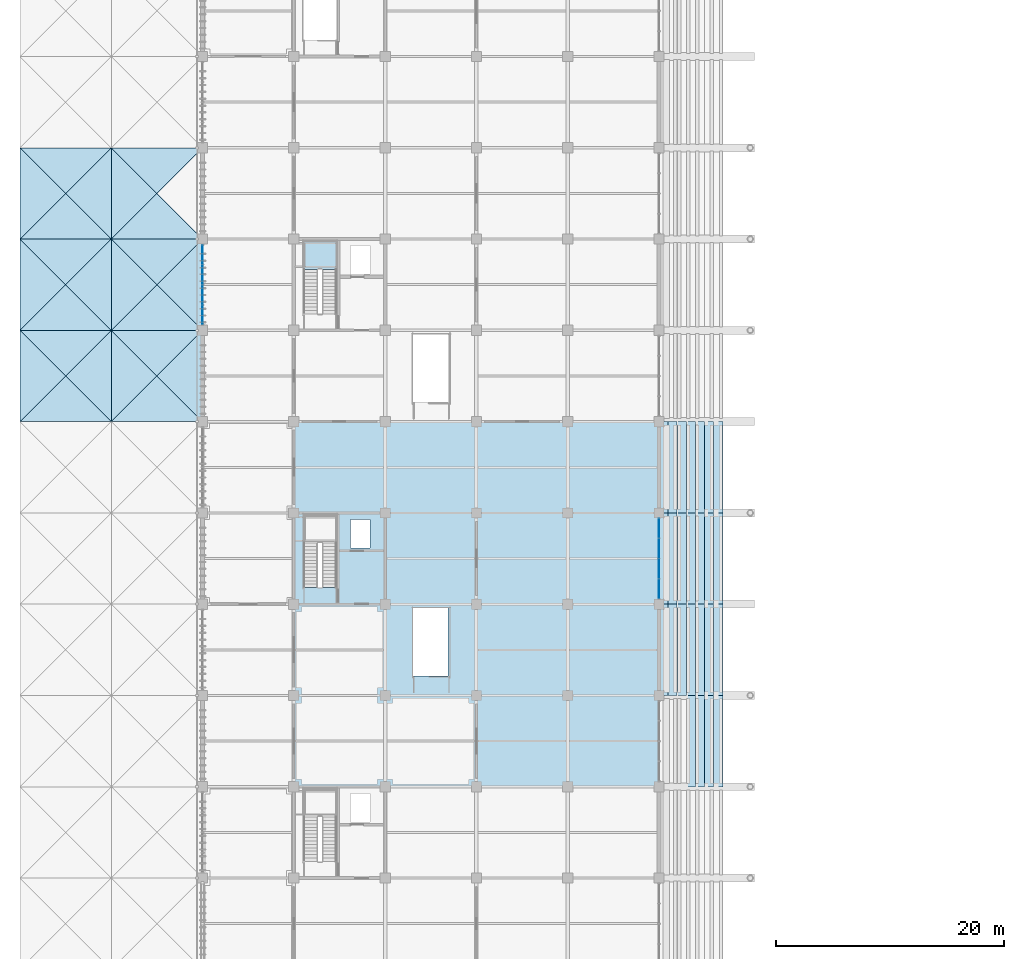
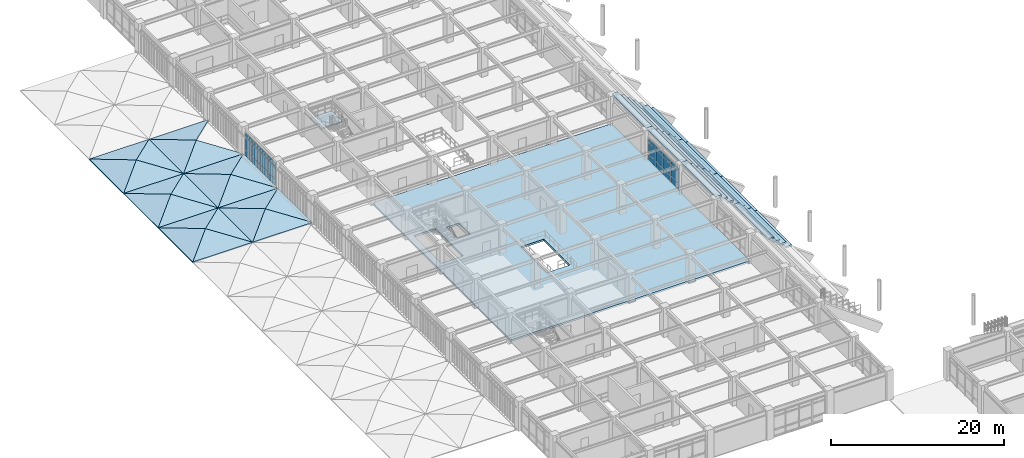
# One storey, part 69 of 118: 50 slabs, 24 plates, 3 elements without a shape of their own.
"""IFC4 building model written with IfcOpenShell, lengths in metres."""

from ifc_helpers import new_model, si_unit, direction, frame, origin, origin_2d, place, context, subcontext, project, spatial, polyline, rectangle, outline, extrude, material, layer, layer_set, type_object, element, aggregate, save


model = new_model("IFC4")

# Units and contexts
model_context = context("Model", 3, precision=1e-05, world=origin(), true_north=direction((0.0, 1.0)))
body_context = subcontext(model_context, "Body", "Model", "MODEL_VIEW")
ifc_project = project(units=[si_unit("LENGTHUNIT", "METRE"), si_unit("AREAUNIT", "SQUARE_METRE"), si_unit("VOLUMEUNIT", "CUBIC_METRE"), si_unit("PLANEANGLEUNIT", "RADIAN"), si_unit("MASSUNIT", "GRAM", prefix="KILO")], contexts=[model_context])

# Site, building, storey
site_placement = place(None, origin())
site = spatial("IfcSite", under=ifc_project, at=site_placement, CompositionType="ELEMENT")
building_placement = place(site_placement, origin())
building = spatial("IfcBuilding", under=site, at=building_placement, Name="Haebicheon Civic Stadium", CompositionType="ELEMENT")
storey_placement = place(building_placement, frame((0.0, 0.0, 14.39990234375)))
storey = spatial("IfcBuildingStorey", under=building, at=storey_placement, Name="L04", CompositionType="ELEMENT", Elevation=14.39990234375)

# Curtain wall, plates
ifc_material_1 = material(Name="Anodised aluminium and laminated glass", Category="aluminium")
ifc_layer_1 = layer(ifc_material_1, 0.179931640625, Name="Anodised aluminium and laminated glass")
ifc_layer_set_1 = layer_set([ifc_layer_1], Name="Anodised aluminium and laminated glass")
curtain_wall_type_1 = type_object("IfcCurtainWallType", Name="CW-7100x3330", PredefinedType="NOTDEFINED", material=ifc_layer_set_1)
curtain_wall_1_placement = place(storey_placement, origin())
curtain_wall_1 = element("IfcCurtainWall", 1, at=curtain_wall_1_placement, inside=storey, type_object=curtain_wall_type_1, material=ifc_layer_set_1, Name="L04 unitised curtain wall 109", PredefinedType="NOTDEFINED")
ifc_material_2 = material(Name="Double low-e acoustic laminated glass", Category="glass")
ifc_layer_2 = layer(ifc_material_2, 0.035888671875, Name="Double low-e acoustic laminated glass")
ifc_layer_set_2 = layer_set([ifc_layer_2], Name="Double low-e acoustic laminated glass")
plate_type_1 = type_object("IfcPlateType", Name="CWP-GLZ-36", PredefinedType="CURTAIN_PANEL", material=ifc_layer_set_2)
plate_1_placement = place(storey_placement, frame((24.0, 105.35498046875, 0.93505859375), z_axis=(0.0, 0.0, 1.0), x_axis=(0.0, 1.0, 0.0)))
plate_1 = element("IfcPlate", 2, at=plate_1_placement, type_object=plate_type_1, material=ifc_layer_set_2, Name="CW-L04-109 vision panel 1.2", PredefinedType="CURTAIN_PANEL", context=body_context, shape_type="SweptSolid", body=[
    extrude(rectangle(XDim=1.669921875, YDim=0.035888671875, at=origin_2d()), origin(), (0.0, 0.0, 1.0), 1.81005859375),
])
plate_2_placement = place(storey_placement, frame((24.0, 107.112060546875, 0.93505859375), z_axis=(0.0, 0.0, 1.0), x_axis=(0.0, 1.0, 0.0)))
plate_2 = element("IfcPlate", 3, at=plate_2_placement, type_object=plate_type_1, material=ifc_layer_set_2, Name="CW-L04-109 vision panel 2.2", PredefinedType="CURTAIN_PANEL", context=body_context, shape_type="SweptSolid", body=[
    extrude(rectangle(XDim=1.705078125, YDim=0.035888671875, at=origin_2d()), origin(), (0.0, 0.0, 1.0), 1.81005859375),
])
plate_3_placement = place(storey_placement, frame((24.0, 108.887939453125, 0.93505859375), z_axis=(0.0, 0.0, 1.0), x_axis=(0.0, 1.0, 0.0)))
plate_3 = element("IfcPlate", 4, at=plate_3_placement, type_object=plate_type_1, material=ifc_layer_set_2, Name="CW-L04-109 vision panel 3.2", PredefinedType="CURTAIN_PANEL", context=body_context, shape_type="SweptSolid", body=[
    extrude(rectangle(XDim=1.705078125, YDim=0.035888671875, at=origin_2d()), origin(), (0.0, 0.0, 1.0), 1.81005859375),
])
plate_4_placement = place(storey_placement, frame((24.0, 110.64501953125, 0.93505859375), z_axis=(0.0, 0.0, 1.0), x_axis=(0.0, 1.0, 0.0)))
plate_4 = element("IfcPlate", 5, at=plate_4_placement, type_object=plate_type_1, material=ifc_layer_set_2, Name="CW-L04-109 vision panel 4.2", PredefinedType="CURTAIN_PANEL", context=body_context, shape_type="SweptSolid", body=[
    extrude(rectangle(XDim=1.669921875, YDim=0.035888671875, at=origin_2d()), origin(), (0.0, 0.0, 1.0), 1.81005859375),
])

ifc_material_3 = material(Name="Anodised aluminium and laminated glass", Category="aluminium")
ifc_layer_3 = layer(ifc_material_3, 0.179931640625, Name="Anodised aluminium and laminated glass")
ifc_layer_set_3 = layer_set([ifc_layer_3], Name="Anodised aluminium and laminated glass")
curtain_wall_type_2 = type_object("IfcCurtainWallType", Name="CW-7100x3100", PredefinedType="NOTDEFINED", material=ifc_layer_set_3)
curtain_wall_2_placement = place(storey_placement, origin())
curtain_wall_2 = element("IfcCurtainWall", 6, at=curtain_wall_2_placement, inside=storey, type_object=curtain_wall_type_2, material=ifc_layer_set_3, Name="L04 unitised curtain wall 119", PredefinedType="NOTDEFINED")
plate_5_placement = place(storey_placement, frame((64.0, 81.35498046875, 0.93505859375), z_axis=(0.0, 0.0, 1.0), x_axis=(0.0, 1.0, 0.0)))
plate_5 = element("IfcPlate", 7, at=plate_5_placement, type_object=plate_type_1, material=ifc_layer_set_2, Name="CW-L04-119 vision panel 1.2", PredefinedType="CURTAIN_PANEL", context=body_context, shape_type="SweptSolid", body=[
    extrude(rectangle(XDim=1.669921875, YDim=0.035888671875, at=origin_2d()), origin(), (0.0, 0.0, 1.0), 1.580078125),
])
plate_6_placement = place(storey_placement, frame((64.0, 83.112060546875, 0.93505859375), z_axis=(0.0, 0.0, 1.0), x_axis=(0.0, 1.0, 0.0)))
plate_6 = element("IfcPlate", 8, at=plate_6_placement, type_object=plate_type_1, material=ifc_layer_set_2, Name="CW-L04-119 vision panel 2.2", PredefinedType="CURTAIN_PANEL", context=body_context, shape_type="SweptSolid", body=[
    extrude(rectangle(XDim=1.705078125, YDim=0.035888671875, at=origin_2d()), origin(), (0.0, 0.0, 1.0), 1.580078125),
])
plate_7_placement = place(storey_placement, frame((64.0, 84.887939453125, 0.93505859375), z_axis=(0.0, 0.0, 1.0), x_axis=(0.0, 1.0, 0.0)))
plate_7 = element("IfcPlate", 9, at=plate_7_placement, type_object=plate_type_1, material=ifc_layer_set_2, Name="CW-L04-119 vision panel 3.2", PredefinedType="CURTAIN_PANEL", context=body_context, shape_type="SweptSolid", body=[
    extrude(rectangle(XDim=1.705078125, YDim=0.035888671875, at=origin_2d()), origin(), (0.0, 0.0, 1.0), 1.580078125),
])
plate_8_placement = place(storey_placement, frame((64.0, 86.64501953125, 0.93505859375), z_axis=(0.0, 0.0, 1.0), x_axis=(0.0, 1.0, 0.0)))
plate_8 = element("IfcPlate", 10, at=plate_8_placement, type_object=plate_type_1, material=ifc_layer_set_2, Name="CW-L04-119 vision panel 4.2", PredefinedType="CURTAIN_PANEL", context=body_context, shape_type="SweptSolid", body=[
    extrude(rectangle(XDim=1.669921875, YDim=0.035888671875, at=origin_2d()), origin(), (0.0, 0.0, 1.0), 1.580078125),
])

# Plate
ifc_material_4 = material(Name="Anodised aluminium 6063-T6", Category="aluminium")
ifc_layer_4 = layer(ifc_material_4, 0.053955078125, Name="Anodised aluminium 6063-T6")
ifc_layer_set_4 = layer_set([ifc_layer_4], Name="Anodised aluminium 6063-T6")
plate_type_2 = type_object("IfcPlateType", Name="CWP-SPD-54", PredefinedType="CURTAIN_PANEL", material=ifc_layer_set_4)
plate_9_placement = place(storey_placement, frame((24.0, 105.35498046875, 0.03515625), z_axis=(0.0, 0.0, 1.0), x_axis=(0.0, 1.0, 0.0)))
plate_9 = element("IfcPlate", 11, at=plate_9_placement, type_object=plate_type_2, material=ifc_layer_set_4, Name="CW-L04-109 spandrel panel 1.1", PredefinedType="CURTAIN_PANEL", context=body_context, shape_type="SweptSolid", body=[
    extrude(rectangle(XDim=1.669921875, YDim=0.053955078125, at=origin_2d()), origin(), (0.0, 0.0, 1.0), 0.830078125),
])

plate_10_placement = place(storey_placement, frame((24.0, 105.35498046875, 2.815185546875), z_axis=(0.0, 0.0, 1.0), x_axis=(0.0, 1.0, 0.0)))
plate_10 = element("IfcPlate", 12, at=plate_10_placement, type_object=plate_type_2, material=ifc_layer_set_4, Name="CW-L04-109 spandrel panel 1.3", PredefinedType="CURTAIN_PANEL", context=body_context, shape_type="SweptSolid", body=[
    extrude(rectangle(XDim=1.669921875, YDim=0.053955078125, at=origin_2d()), origin(), (0.0, 0.0, 1.0), 0.47998046875),
])

plate_11_placement = place(storey_placement, frame((24.0, 107.112060546875, 0.03515625), z_axis=(0.0, 0.0, 1.0), x_axis=(0.0, 1.0, 0.0)))
plate_11 = element("IfcPlate", 13, at=plate_11_placement, type_object=plate_type_2, material=ifc_layer_set_4, Name="CW-L04-109 spandrel panel 2.1", PredefinedType="CURTAIN_PANEL", context=body_context, shape_type="SweptSolid", body=[
    extrude(rectangle(XDim=1.705078125, YDim=0.053955078125, at=origin_2d()), origin(), (0.0, 0.0, 1.0), 0.830078125),
])

plate_12_placement = place(storey_placement, frame((24.0, 107.112060546875, 2.815185546875), z_axis=(0.0, 0.0, 1.0), x_axis=(0.0, 1.0, 0.0)))
plate_12 = element("IfcPlate", 14, at=plate_12_placement, type_object=plate_type_2, material=ifc_layer_set_4, Name="CW-L04-109 spandrel panel 2.3", PredefinedType="CURTAIN_PANEL", context=body_context, shape_type="SweptSolid", body=[
    extrude(rectangle(XDim=1.705078125, YDim=0.053955078125, at=origin_2d()), origin(), (0.0, 0.0, 1.0), 0.47998046875),
])

plate_13_placement = place(storey_placement, frame((24.0, 108.887939453125, 0.03515625), z_axis=(0.0, 0.0, 1.0), x_axis=(0.0, 1.0, 0.0)))
plate_13 = element("IfcPlate", 15, at=plate_13_placement, type_object=plate_type_2, material=ifc_layer_set_4, Name="CW-L04-109 spandrel panel 3.1", PredefinedType="CURTAIN_PANEL", context=body_context, shape_type="SweptSolid", body=[
    extrude(rectangle(XDim=1.705078125, YDim=0.053955078125, at=origin_2d()), origin(), (0.0, 0.0, 1.0), 0.830078125),
])

plate_14_placement = place(storey_placement, frame((24.0, 108.887939453125, 2.815185546875), z_axis=(0.0, 0.0, 1.0), x_axis=(0.0, 1.0, 0.0)))
plate_14 = element("IfcPlate", 16, at=plate_14_placement, type_object=plate_type_2, material=ifc_layer_set_4, Name="CW-L04-109 spandrel panel 3.3", PredefinedType="CURTAIN_PANEL", context=body_context, shape_type="SweptSolid", body=[
    extrude(rectangle(XDim=1.705078125, YDim=0.053955078125, at=origin_2d()), origin(), (0.0, 0.0, 1.0), 0.47998046875),
])

plate_15_placement = place(storey_placement, frame((24.0, 110.64501953125, 0.03515625), z_axis=(0.0, 0.0, 1.0), x_axis=(0.0, 1.0, 0.0)))
plate_15 = element("IfcPlate", 17, at=plate_15_placement, type_object=plate_type_2, material=ifc_layer_set_4, Name="CW-L04-109 spandrel panel 4.1", PredefinedType="CURTAIN_PANEL", context=body_context, shape_type="SweptSolid", body=[
    extrude(rectangle(XDim=1.669921875, YDim=0.053955078125, at=origin_2d()), origin(), (0.0, 0.0, 1.0), 0.830078125),
])

plate_16_placement = place(storey_placement, frame((24.0, 110.64501953125, 2.815185546875), z_axis=(0.0, 0.0, 1.0), x_axis=(0.0, 1.0, 0.0)))
plate_16 = element("IfcPlate", 18, at=plate_16_placement, type_object=plate_type_2, material=ifc_layer_set_4, Name="CW-L04-109 spandrel panel 4.3", PredefinedType="CURTAIN_PANEL", context=body_context, shape_type="SweptSolid", body=[
    extrude(rectangle(XDim=1.669921875, YDim=0.053955078125, at=origin_2d()), origin(), (0.0, 0.0, 1.0), 0.47998046875),
])

aggregate(curtain_wall_1, [plate_9, plate_1, plate_10, plate_11, plate_2, plate_12, plate_13, plate_3, plate_14, plate_15, plate_4, plate_16])

plate_17_placement = place(storey_placement, frame((64.0, 81.35498046875, 0.03515625), z_axis=(0.0, 0.0, 1.0), x_axis=(0.0, 1.0, 0.0)))
plate_17 = element("IfcPlate", 19, at=plate_17_placement, type_object=plate_type_2, material=ifc_layer_set_4, Name="CW-L04-119 spandrel panel 1.1", PredefinedType="CURTAIN_PANEL", context=body_context, shape_type="SweptSolid", body=[
    extrude(rectangle(XDim=1.669921875, YDim=0.053955078125, at=origin_2d()), origin(), (0.0, 0.0, 1.0), 0.830078125),
])

plate_18_placement = place(storey_placement, frame((64.0, 81.35498046875, 2.585205078125), z_axis=(0.0, 0.0, 1.0), x_axis=(0.0, 1.0, 0.0)))
plate_18 = element("IfcPlate", 20, at=plate_18_placement, type_object=plate_type_2, material=ifc_layer_set_4, Name="CW-L04-119 spandrel panel 1.3", PredefinedType="CURTAIN_PANEL", context=body_context, shape_type="SweptSolid", body=[
    extrude(rectangle(XDim=1.669921875, YDim=0.053955078125, at=origin_2d()), origin(), (0.0, 0.0, 1.0), 0.47998046875),
])

plate_19_placement = place(storey_placement, frame((64.0, 83.112060546875, 0.03515625), z_axis=(0.0, 0.0, 1.0), x_axis=(0.0, 1.0, 0.0)))
plate_19 = element("IfcPlate", 21, at=plate_19_placement, type_object=plate_type_2, material=ifc_layer_set_4, Name="CW-L04-119 spandrel panel 2.1", PredefinedType="CURTAIN_PANEL", context=body_context, shape_type="SweptSolid", body=[
    extrude(rectangle(XDim=1.705078125, YDim=0.053955078125, at=origin_2d()), origin(), (0.0, 0.0, 1.0), 0.830078125),
])

plate_20_placement = place(storey_placement, frame((64.0, 83.112060546875, 2.585205078125), z_axis=(0.0, 0.0, 1.0), x_axis=(0.0, 1.0, 0.0)))
plate_20 = element("IfcPlate", 22, at=plate_20_placement, type_object=plate_type_2, material=ifc_layer_set_4, Name="CW-L04-119 spandrel panel 2.3", PredefinedType="CURTAIN_PANEL", context=body_context, shape_type="SweptSolid", body=[
    extrude(rectangle(XDim=1.705078125, YDim=0.053955078125, at=origin_2d()), origin(), (0.0, 0.0, 1.0), 0.47998046875),
])

plate_21_placement = place(storey_placement, frame((64.0, 84.887939453125, 0.03515625), z_axis=(0.0, 0.0, 1.0), x_axis=(0.0, 1.0, 0.0)))
plate_21 = element("IfcPlate", 23, at=plate_21_placement, type_object=plate_type_2, material=ifc_layer_set_4, Name="CW-L04-119 spandrel panel 3.1", PredefinedType="CURTAIN_PANEL", context=body_context, shape_type="SweptSolid", body=[
    extrude(rectangle(XDim=1.705078125, YDim=0.053955078125, at=origin_2d()), origin(), (0.0, 0.0, 1.0), 0.830078125),
])

plate_22_placement = place(storey_placement, frame((64.0, 84.887939453125, 2.585205078125), z_axis=(0.0, 0.0, 1.0), x_axis=(0.0, 1.0, 0.0)))
plate_22 = element("IfcPlate", 24, at=plate_22_placement, type_object=plate_type_2, material=ifc_layer_set_4, Name="CW-L04-119 spandrel panel 3.3", PredefinedType="CURTAIN_PANEL", context=body_context, shape_type="SweptSolid", body=[
    extrude(rectangle(XDim=1.705078125, YDim=0.053955078125, at=origin_2d()), origin(), (0.0, 0.0, 1.0), 0.47998046875),
])

plate_23_placement = place(storey_placement, frame((64.0, 86.64501953125, 0.03515625), z_axis=(0.0, 0.0, 1.0), x_axis=(0.0, 1.0, 0.0)))
plate_23 = element("IfcPlate", 25, at=plate_23_placement, type_object=plate_type_2, material=ifc_layer_set_4, Name="CW-L04-119 spandrel panel 4.1", PredefinedType="CURTAIN_PANEL", context=body_context, shape_type="SweptSolid", body=[
    extrude(rectangle(XDim=1.669921875, YDim=0.053955078125, at=origin_2d()), origin(), (0.0, 0.0, 1.0), 0.830078125),
])

plate_24_placement = place(storey_placement, frame((64.0, 86.64501953125, 2.585205078125), z_axis=(0.0, 0.0, 1.0), x_axis=(0.0, 1.0, 0.0)))
plate_24 = element("IfcPlate", 26, at=plate_24_placement, type_object=plate_type_2, material=ifc_layer_set_4, Name="CW-L04-119 spandrel panel 4.3", PredefinedType="CURTAIN_PANEL", context=body_context, shape_type="SweptSolid", body=[
    extrude(rectangle(XDim=1.669921875, YDim=0.053955078125, at=origin_2d()), origin(), (0.0, 0.0, 1.0), 0.47998046875),
])

aggregate(curtain_wall_2, [plate_17, plate_5, plate_18, plate_19, plate_6, plate_20, plate_21, plate_7, plate_22, plate_23, plate_8, plate_24])

# Slab
ifc_material_5 = material(Name="Concrete C40/50", Category="concrete")
ifc_layer_5 = layer(ifc_material_5, 0.260009765625, Name="Concrete C40/50")
ifc_layer_set_5 = layer_set([ifc_layer_5], Name="Concrete C40/50")
slab_type_1 = type_object("IfcSlabType", Name="SLB-FLR-260", PredefinedType="FLOOR", material=ifc_layer_set_5)
slab_1_placement = place(storey_placement, frame((0.0, 0.0, -0.260009765625)))
element("IfcSlab", 27, at=slab_1_placement, inside=storey, type_object=slab_type_1, material=ifc_layer_set_5, Name="L04 V1 structural slab 6.1", PredefinedType="FLOOR", context=body_context, shape_type="SweptSolid", body=[
    extrude(outline(polyline([(32.0, 88.0), (32.0, 96.0), (40.0, 96.0), (48.0, 96.0), (56.0, 96.0), (64.0, 96.0), (64.0, 88.0), (64.0, 80.0), (64.0, 72.0), (64.0, 64.0), (56.0, 64.0), (48.0, 64.0), (40.0, 64.0), (32.0, 64.0), (32.0, 72.0), (32.0, 80.0), (32.0, 88.0)]), holes=[polyline([(32.840087890625, 81.4599609375), (35.739990234375, 81.4599609375), (35.739990234375, 87.840087890625), (32.840087890625, 87.840087890625), (32.840087890625, 81.4599609375)]), polyline([(36.969970703125, 84.929931640625), (38.669921875, 84.929931640625), (38.669921875, 87.429931640625), (36.969970703125, 87.429931640625), (36.969970703125, 84.929931640625)]), polyline([(42.4599609375, 73.699951171875), (45.5, 73.699951171875), (45.5, 79.699951171875), (42.4599609375, 79.699951171875), (42.4599609375, 73.699951171875)])]), origin(), (0.0, 0.0, 1.0), 0.260009765625),
])

# Stair, slab
ifc_material_6 = material(Name="Concrete C40/50", Category="concrete")
stair_type = type_object("IfcStairType", Name="STR-DL-W128-H42", PredefinedType="HALF_TURN_STAIR", material=ifc_material_6)
stair_placement = place(storey_placement, origin())
stair = element("IfcStair", 28, at=stair_placement, inside=storey, type_object=stair_type, material=ifc_material_6, Name="L04 Escape stair ST-04", PredefinedType="HALF_TURN_STAIR")
ifc_material_7 = material(Name="Concrete C40/50", Category="concrete")
ifc_layer_6 = layer(ifc_material_7, 0.199951171875, Name="Concrete C40/50")
ifc_layer_set_6 = layer_set([ifc_layer_6], Name="Concrete C40/50")
slab_type_2 = type_object("IfcSlabType", Name="SLB-LND-200", PredefinedType="LANDING", material=ifc_layer_set_6)
slab_2_placement = place(storey_placement, frame((0.0, 0.0, 1.900146484375)))
slab_2 = element("IfcSlab", 29, at=slab_2_placement, type_object=slab_type_2, material=ifc_layer_set_6, Name="ST-04 landing 1", PredefinedType="LANDING", context=body_context, shape_type="SweptSolid", body=[
    extrude(outline(polyline([(35.739990234375, 109.35009765625), (35.739990234375, 111.840087890625), (32.840087890625, 111.840087890625), (32.840087890625, 109.35009765625), (35.739990234375, 109.35009765625)])), origin(), (0.0, 0.0, 1.0), 0.199951171875),
])
aggregate(stair, [slab_2])

# Slabs
ifc_material_8 = material(Name="Precast concrete C40/50", Category="concrete")
ifc_layer_7 = layer(ifc_material_8, 0.169921875, Name="Precast concrete C40/50")
ifc_layer_set_7 = layer_set([ifc_layer_7], Name="Precast concrete C40/50")
slab_type_3 = type_object("IfcSlabType", Name="SLB-ROOF-170", PredefinedType="ROOF", material=ifc_layer_set_7)
for number, where, z_axis, x_axis, name in (
    (30, (8.0, 96.0, 0.02001953125), (0.0, -0.219546201048, 0.975602104142), (1.0, 0.0, 0.0), "L04 V5 folded shell roof facet 7.S"),
    (31, (16.0, 96.0, 0.02001953125), (0.219546201048, 0.0, 0.975602104142), (0.0, 1.0, 0.0), "L04 V5 folded shell roof facet 7.E"),
    (32, (16.0, 104.0, 0.02001953125), (0.0, 0.219546201048, 0.975602104142), (-1.0, 0.0, 0.0), "L04 V5 folded shell roof facet 7.N"),
    (33, (8.0, 104.0, 0.02001953125), (-0.219546201048, 0.0, 0.975602104142), (0.0, -1.0, 0.0), "L04 V5 folded shell roof facet 7.W"),
    (34, (8.0, 104.0, 0.02001953125), (0.0, -0.219546201048, 0.975602104142), (1.0, 0.0, 0.0), "L04 V5 folded shell roof facet 8.S"),
    (35, (16.0, 104.0, 0.02001953125), (0.219546201048, 0.0, 0.975602104142), (0.0, 1.0, 0.0), "L04 V5 folded shell roof facet 8.E"),
    (36, (16.0, 112.0, 0.02001953125), (0.0, 0.219546201048, 0.975602104142), (-1.0, 0.0, 0.0), "L04 V5 folded shell roof facet 8.N"),
    (37, (8.0, 112.0, 0.02001953125), (-0.219546201048, 0.0, 0.975602104142), (0.0, -1.0, 0.0), "L04 V5 folded shell roof facet 8.W"),
    (38, (8.0, 112.0, 0.02001953125), (0.0, -0.219546201048, 0.975602104142), (1.0, 0.0, 0.0), "L04 V5 folded shell roof facet 9.S"),
    (39, (16.0, 112.0, 0.02001953125), (0.219546201048, 0.0, 0.975602104142), (0.0, 1.0, 0.0), "L04 V5 folded shell roof facet 9.E"),
    (40, (16.0, 120.0, 0.02001953125), (0.0, 0.219546201048, 0.975602104142), (-1.0, 0.0, 0.0), "L04 V5 folded shell roof facet 9.N"),
    (41, (8.0, 120.0, 0.02001953125), (-0.219546201048, 0.0, 0.975602104142), (0.0, -1.0, 0.0), "L04 V5 folded shell roof facet 9.W"),
    (42, (16.0, 96.0, 0.02001953125), (0.0, -0.219546201048, 0.975602104142), (1.0, 0.0, 0.0), "L04 V5 folded shell roof facet 18.S"),
    (43, (24.0, 96.0, 0.02001953125), (0.219546201048, 0.0, 0.975602104142), (0.0, 1.0, 0.0), "L04 V5 folded shell roof facet 18.E"),
    (44, (24.0, 104.0, 0.02001953125), (0.0, 0.219546201048, 0.975602104142), (-1.0, 0.0, 0.0), "L04 V5 folded shell roof facet 18.N"),
    (45, (16.0, 104.0, 0.02001953125), (-0.219546201048, 0.0, 0.975602104142), (0.0, -1.0, 0.0), "L04 V5 folded shell roof facet 18.W"),
    (46, (16.0, 104.0, 0.02001953125), (0.0, -0.219546201048, 0.975602104142), (1.0, 0.0, 0.0), "L04 V5 folded shell roof facet 19.S"),
    (47, (24.0, 104.0, 0.02001953125), (0.219546201048, 0.0, 0.975602104142), (0.0, 1.0, 0.0), "L04 V5 folded shell roof facet 19.E"),
    (48, (24.0, 112.0, 0.02001953125), (0.0, 0.219546201048, 0.975602104142), (-1.0, 0.0, 0.0), "L04 V5 folded shell roof facet 19.N"),
    (49, (16.0, 112.0, 0.02001953125), (-0.219546201048, 0.0, 0.975602104142), (0.0, -1.0, 0.0), "L04 V5 folded shell roof facet 19.W"),
    (50, (16.0, 112.0, 0.02001953125), (0.0, -0.219546201048, 0.975602104142), (1.0, 0.0, 0.0), "L04 V5 folded shell roof facet 20.S"),
    (51, (24.0, 120.0, 0.02001953125), (0.0, 0.219546201048, 0.975602104142), (-1.0, 0.0, 0.0), "L04 V5 folded shell roof facet 20.N"),
    (52, (16.0, 120.0, 0.02001953125), (-0.219546201048, 0.0, 0.975602104142), (0.0, -1.0, 0.0), "L04 V5 folded shell roof facet 20.W"),
):
    element("IfcSlab", number, at=place(storey_placement, frame(where, z_axis=z_axis, x_axis=x_axis)), inside=storey, type_object=slab_type_3, material=ifc_layer_set_7, Name=name, PredefinedType="ROOF", context=body_context, shape_type="SweptSolid", body=[
        extrude(outline(polyline([(0.0, 0.0), (8.0, 0.0), (4.0, 4.1000321575973855), (0.0, 0.0)])), origin(), (0.0, 0.0, -1.0), 0.169921875),
    ])
ifc_material_9 = material(Name="Precast concrete C40/50", Category="concrete")
ifc_layer_8 = layer(ifc_material_9, 0.239990234375, Name="Precast concrete C40/50")
ifc_layer_set_8 = layer_set([ifc_layer_8], Name="Precast concrete C40/50")
slab_type_4 = type_object("IfcSlabType", Name="SLB-TIER-240", PredefinedType="USERDEFINED", material=ifc_layer_set_8)
slab_3_placement = place(storey_placement, frame((0.0, 0.0, 0.093017578125)))
element("IfcSlab", 53, at=slab_3_placement, inside=storey, type_object=slab_type_4, material=ifc_layer_set_8, Name="TIER-W-U precast seating tier bay 3 row-band 4", ObjectType="SEATING TIER", PredefinedType="USERDEFINED", context=body_context, shape_type="SweptSolid", body=[
    extrude(outline(polyline([(68.800048828125, 64.0), (69.60009765625, 64.0), (69.60009765625, 72.0), (68.800048828125, 72.0), (68.800048828125, 64.0)])), origin(), (0.0, 0.0, 1.0), 0.239990234375),
])
slab_4_placement = place(storey_placement, frame((0.0, 0.0, 0.738037109375)))
element("IfcSlab", 54, at=slab_4_placement, inside=storey, type_object=slab_type_4, material=ifc_layer_set_8, Name="TIER-W-U precast seating tier bay 3 row-band 5", ObjectType="SEATING TIER", PredefinedType="USERDEFINED", context=body_context, shape_type="SweptSolid", body=[
    extrude(outline(polyline([(68.0, 64.0), (68.800048828125, 64.0), (68.800048828125, 72.0), (68.0, 72.0), (68.0, 64.0)])), origin(), (0.0, 0.0, 1.0), 0.239990234375),
])
slab_5_placement = place(storey_placement, frame((0.0, 0.0, 1.382080078125)))
element("IfcSlab", 55, at=slab_5_placement, inside=storey, type_object=slab_type_4, material=ifc_layer_set_8, Name="TIER-W-U precast seating tier bay 3 row-band 6", ObjectType="SEATING TIER", PredefinedType="USERDEFINED", context=body_context, shape_type="SweptSolid", body=[
    extrude(outline(polyline([(67.199951171875, 64.0), (68.0, 64.0), (68.0, 72.0), (67.199951171875, 72.0), (67.199951171875, 64.0)])), origin(), (0.0, 0.0, 1.0), 0.239990234375),
])
slab_6_placement = place(storey_placement, frame((0.0, 0.0, 2.027099609375)))
element("IfcSlab", 56, at=slab_6_placement, inside=storey, type_object=slab_type_4, material=ifc_layer_set_8, Name="TIER-W-U precast seating tier bay 3 row-band 7", ObjectType="SEATING TIER", PredefinedType="USERDEFINED", context=body_context, shape_type="SweptSolid", body=[
    extrude(outline(polyline([(66.39990234375, 64.0), (67.199951171875, 64.0), (67.199951171875, 72.0), (66.39990234375, 72.0), (66.39990234375, 64.0)])), origin(), (0.0, 0.0, 1.0), 0.239990234375),
])
slab_7_placement = place(storey_placement, frame((0.0, 0.0, 0.093017578125)))
element("IfcSlab", 57, at=slab_7_placement, inside=storey, type_object=slab_type_4, material=ifc_layer_set_8, Name="TIER-W-U precast seating tier bay 4 row-band 4", ObjectType="SEATING TIER", PredefinedType="USERDEFINED", context=body_context, shape_type="SweptSolid", body=[
    extrude(outline(polyline([(68.800048828125, 72.0), (69.60009765625, 72.0), (69.60009765625, 80.0), (68.800048828125, 80.0), (68.800048828125, 72.0)])), origin(), (0.0, 0.0, 1.0), 0.239990234375),
])
slab_8_placement = place(storey_placement, frame((0.0, 0.0, 0.738037109375)))
element("IfcSlab", 58, at=slab_8_placement, inside=storey, type_object=slab_type_4, material=ifc_layer_set_8, Name="TIER-W-U precast seating tier bay 4 row-band 5", ObjectType="SEATING TIER", PredefinedType="USERDEFINED", context=body_context, shape_type="SweptSolid", body=[
    extrude(outline(polyline([(68.0, 72.0), (68.800048828125, 72.0), (68.800048828125, 80.0), (68.0, 80.0), (68.0, 72.0)])), origin(), (0.0, 0.0, 1.0), 0.239990234375),
])
slab_9_placement = place(storey_placement, frame((0.0, 0.0, 1.382080078125)))
element("IfcSlab", 59, at=slab_9_placement, inside=storey, type_object=slab_type_4, material=ifc_layer_set_8, Name="TIER-W-U precast seating tier bay 4 row-band 6", ObjectType="SEATING TIER", PredefinedType="USERDEFINED", context=body_context, shape_type="SweptSolid", body=[
    extrude(outline(polyline([(67.199951171875, 72.0), (68.0, 72.0), (68.0, 80.0), (67.199951171875, 80.0), (67.199951171875, 72.0)])), origin(), (0.0, 0.0, 1.0), 0.239990234375),
])
slab_10_placement = place(storey_placement, frame((0.0, 0.0, 2.027099609375)))
element("IfcSlab", 60, at=slab_10_placement, inside=storey, type_object=slab_type_4, material=ifc_layer_set_8, Name="TIER-W-U precast seating tier bay 4 row-band 7", ObjectType="SEATING TIER", PredefinedType="USERDEFINED", context=body_context, shape_type="SweptSolid", body=[
    extrude(outline(polyline([(66.39990234375, 72.0), (67.199951171875, 72.0), (67.199951171875, 80.0), (66.39990234375, 80.0), (66.39990234375, 72.0)])), origin(), (0.0, 0.0, 1.0), 0.239990234375),
])
slab_11_placement = place(storey_placement, frame((0.0, 0.0, 2.671142578125)))
element("IfcSlab", 61, at=slab_11_placement, inside=storey, type_object=slab_type_4, material=ifc_layer_set_8, Name="TIER-W-U precast seating tier bay 4 row-band 8", ObjectType="SEATING TIER", PredefinedType="USERDEFINED", context=body_context, shape_type="SweptSolid", body=[
    extrude(outline(polyline([(65.60009765625, 72.0), (66.39990234375, 72.0), (66.39990234375, 80.0), (65.60009765625, 80.0), (65.60009765625, 72.0)])), origin(), (0.0, 0.0, 1.0), 0.239990234375),
])
slab_12_placement = place(storey_placement, frame((0.0, 0.0, 3.316162109375)))
element("IfcSlab", 62, at=slab_12_placement, inside=storey, type_object=slab_type_4, material=ifc_layer_set_8, Name="TIER-W-U precast seating tier bay 4 row-band 9", ObjectType="SEATING TIER", PredefinedType="USERDEFINED", context=body_context, shape_type="SweptSolid", body=[
    extrude(outline(polyline([(64.800048828125, 72.0), (65.60009765625, 72.0), (65.60009765625, 80.0), (64.800048828125, 80.0), (64.800048828125, 72.0)])), origin(), (0.0, 0.0, 1.0), 0.239990234375),
])
slab_13_placement = place(storey_placement, frame((0.0, 0.0, 3.960205078125)))
element("IfcSlab", 63, at=slab_13_placement, inside=storey, type_object=slab_type_4, material=ifc_layer_set_8, Name="TIER-W-U precast seating tier bay 4 row-band 10", ObjectType="SEATING TIER", PredefinedType="USERDEFINED", context=body_context, shape_type="SweptSolid", body=[
    extrude(outline(polyline([(64.0, 72.0), (64.800048828125, 72.0), (64.800048828125, 80.0), (64.0, 80.0), (64.0, 72.0)])), origin(), (0.0, 0.0, 1.0), 0.239990234375),
])
slab_14_placement = place(storey_placement, frame((0.0, 0.0, 0.093017578125)))
element("IfcSlab", 64, at=slab_14_placement, inside=storey, type_object=slab_type_4, material=ifc_layer_set_8, Name="TIER-W-U precast seating tier bay 5 row-band 4", ObjectType="SEATING TIER", PredefinedType="USERDEFINED", context=body_context, shape_type="SweptSolid", body=[
    extrude(outline(polyline([(68.800048828125, 80.0), (69.60009765625, 80.0), (69.60009765625, 88.0), (68.800048828125, 88.0), (68.800048828125, 80.0)])), origin(), (0.0, 0.0, 1.0), 0.239990234375),
])
slab_15_placement = place(storey_placement, frame((0.0, 0.0, 0.738037109375)))
element("IfcSlab", 65, at=slab_15_placement, inside=storey, type_object=slab_type_4, material=ifc_layer_set_8, Name="TIER-W-U precast seating tier bay 5 row-band 5", ObjectType="SEATING TIER", PredefinedType="USERDEFINED", context=body_context, shape_type="SweptSolid", body=[
    extrude(outline(polyline([(68.0, 80.0), (68.800048828125, 80.0), (68.800048828125, 88.0), (68.0, 88.0), (68.0, 80.0)])), origin(), (0.0, 0.0, 1.0), 0.239990234375),
])
slab_16_placement = place(storey_placement, frame((0.0, 0.0, 1.382080078125)))
element("IfcSlab", 66, at=slab_16_placement, inside=storey, type_object=slab_type_4, material=ifc_layer_set_8, Name="TIER-W-U precast seating tier bay 5 row-band 6", ObjectType="SEATING TIER", PredefinedType="USERDEFINED", context=body_context, shape_type="SweptSolid", body=[
    extrude(outline(polyline([(67.199951171875, 80.0), (68.0, 80.0), (68.0, 88.0), (67.199951171875, 88.0), (67.199951171875, 80.0)])), origin(), (0.0, 0.0, 1.0), 0.239990234375),
])
slab_17_placement = place(storey_placement, frame((0.0, 0.0, 2.027099609375)))
element("IfcSlab", 67, at=slab_17_placement, inside=storey, type_object=slab_type_4, material=ifc_layer_set_8, Name="TIER-W-U precast seating tier bay 5 row-band 7", ObjectType="SEATING TIER", PredefinedType="USERDEFINED", context=body_context, shape_type="SweptSolid", body=[
    extrude(outline(polyline([(66.39990234375, 80.0), (67.199951171875, 80.0), (67.199951171875, 88.0), (66.39990234375, 88.0), (66.39990234375, 80.0)])), origin(), (0.0, 0.0, 1.0), 0.239990234375),
])
slab_18_placement = place(storey_placement, frame((0.0, 0.0, 2.671142578125)))
element("IfcSlab", 68, at=slab_18_placement, inside=storey, type_object=slab_type_4, material=ifc_layer_set_8, Name="TIER-W-U precast seating tier bay 5 row-band 8", ObjectType="SEATING TIER", PredefinedType="USERDEFINED", context=body_context, shape_type="SweptSolid", body=[
    extrude(outline(polyline([(65.60009765625, 80.0), (66.39990234375, 80.0), (66.39990234375, 88.0), (65.60009765625, 88.0), (65.60009765625, 80.0)])), origin(), (0.0, 0.0, 1.0), 0.239990234375),
])
slab_19_placement = place(storey_placement, frame((0.0, 0.0, 3.316162109375)))
element("IfcSlab", 69, at=slab_19_placement, inside=storey, type_object=slab_type_4, material=ifc_layer_set_8, Name="TIER-W-U precast seating tier bay 5 row-band 9", ObjectType="SEATING TIER", PredefinedType="USERDEFINED", context=body_context, shape_type="SweptSolid", body=[
    extrude(outline(polyline([(64.800048828125, 80.0), (65.60009765625, 80.0), (65.60009765625, 88.0), (64.800048828125, 88.0), (64.800048828125, 80.0)])), origin(), (0.0, 0.0, 1.0), 0.239990234375),
])
slab_20_placement = place(storey_placement, frame((0.0, 0.0, 3.960205078125)))
element("IfcSlab", 70, at=slab_20_placement, inside=storey, type_object=slab_type_4, material=ifc_layer_set_8, Name="TIER-W-U precast seating tier bay 5 row-band 10", ObjectType="SEATING TIER", PredefinedType="USERDEFINED", context=body_context, shape_type="SweptSolid", body=[
    extrude(outline(polyline([(64.0, 80.0), (64.800048828125, 80.0), (64.800048828125, 88.0), (64.0, 88.0), (64.0, 80.0)])), origin(), (0.0, 0.0, 1.0), 0.239990234375),
])
slab_21_placement = place(storey_placement, frame((0.0, 0.0, 0.093017578125)))
element("IfcSlab", 71, at=slab_21_placement, inside=storey, type_object=slab_type_4, material=ifc_layer_set_8, Name="TIER-W-U precast seating tier bay 6 row-band 4", ObjectType="SEATING TIER", PredefinedType="USERDEFINED", context=body_context, shape_type="SweptSolid", body=[
    extrude(outline(polyline([(68.800048828125, 88.0), (69.60009765625, 88.0), (69.60009765625, 96.0), (68.800048828125, 96.0), (68.800048828125, 88.0)])), origin(), (0.0, 0.0, 1.0), 0.239990234375),
])
slab_22_placement = place(storey_placement, frame((0.0, 0.0, 0.738037109375)))
element("IfcSlab", 72, at=slab_22_placement, inside=storey, type_object=slab_type_4, material=ifc_layer_set_8, Name="TIER-W-U precast seating tier bay 6 row-band 5", ObjectType="SEATING TIER", PredefinedType="USERDEFINED", context=body_context, shape_type="SweptSolid", body=[
    extrude(outline(polyline([(68.0, 88.0), (68.800048828125, 88.0), (68.800048828125, 96.0), (68.0, 96.0), (68.0, 88.0)])), origin(), (0.0, 0.0, 1.0), 0.239990234375),
])
slab_23_placement = place(storey_placement, frame((0.0, 0.0, 1.382080078125)))
element("IfcSlab", 73, at=slab_23_placement, inside=storey, type_object=slab_type_4, material=ifc_layer_set_8, Name="TIER-W-U precast seating tier bay 6 row-band 6", ObjectType="SEATING TIER", PredefinedType="USERDEFINED", context=body_context, shape_type="SweptSolid", body=[
    extrude(outline(polyline([(67.199951171875, 88.0), (68.0, 88.0), (68.0, 96.0), (67.199951171875, 96.0), (67.199951171875, 88.0)])), origin(), (0.0, 0.0, 1.0), 0.239990234375),
])
slab_24_placement = place(storey_placement, frame((0.0, 0.0, 2.027099609375)))
element("IfcSlab", 74, at=slab_24_placement, inside=storey, type_object=slab_type_4, material=ifc_layer_set_8, Name="TIER-W-U precast seating tier bay 6 row-band 7", ObjectType="SEATING TIER", PredefinedType="USERDEFINED", context=body_context, shape_type="SweptSolid", body=[
    extrude(outline(polyline([(66.39990234375, 88.0), (67.199951171875, 88.0), (67.199951171875, 96.0), (66.39990234375, 96.0), (66.39990234375, 88.0)])), origin(), (0.0, 0.0, 1.0), 0.239990234375),
])
slab_25_placement = place(storey_placement, frame((0.0, 0.0, 2.671142578125)))
element("IfcSlab", 75, at=slab_25_placement, inside=storey, type_object=slab_type_4, material=ifc_layer_set_8, Name="TIER-W-U precast seating tier bay 6 row-band 8", ObjectType="SEATING TIER", PredefinedType="USERDEFINED", context=body_context, shape_type="SweptSolid", body=[
    extrude(outline(polyline([(65.60009765625, 88.0), (66.39990234375, 88.0), (66.39990234375, 96.0), (65.60009765625, 96.0), (65.60009765625, 88.0)])), origin(), (0.0, 0.0, 1.0), 0.239990234375),
])
slab_26_placement = place(storey_placement, frame((0.0, 0.0, 3.316162109375)))
element("IfcSlab", 76, at=slab_26_placement, inside=storey, type_object=slab_type_4, material=ifc_layer_set_8, Name="TIER-W-U precast seating tier bay 6 row-band 9", ObjectType="SEATING TIER", PredefinedType="USERDEFINED", context=body_context, shape_type="SweptSolid", body=[
    extrude(outline(polyline([(64.800048828125, 88.0), (65.60009765625, 88.0), (65.60009765625, 96.0), (64.800048828125, 96.0), (64.800048828125, 88.0)])), origin(), (0.0, 0.0, 1.0), 0.239990234375),
])
slab_27_placement = place(storey_placement, frame((0.0, 0.0, 3.960205078125)))
element("IfcSlab", 77, at=slab_27_placement, inside=storey, type_object=slab_type_4, material=ifc_layer_set_8, Name="TIER-W-U precast seating tier bay 6 row-band 10", ObjectType="SEATING TIER", PredefinedType="USERDEFINED", context=body_context, shape_type="SweptSolid", body=[
    extrude(outline(polyline([(64.0, 88.0), (64.800048828125, 88.0), (64.800048828125, 96.0), (64.0, 96.0), (64.0, 88.0)])), origin(), (0.0, 0.0, 1.0), 0.239990234375),
])

save(model, "model.ifc")
